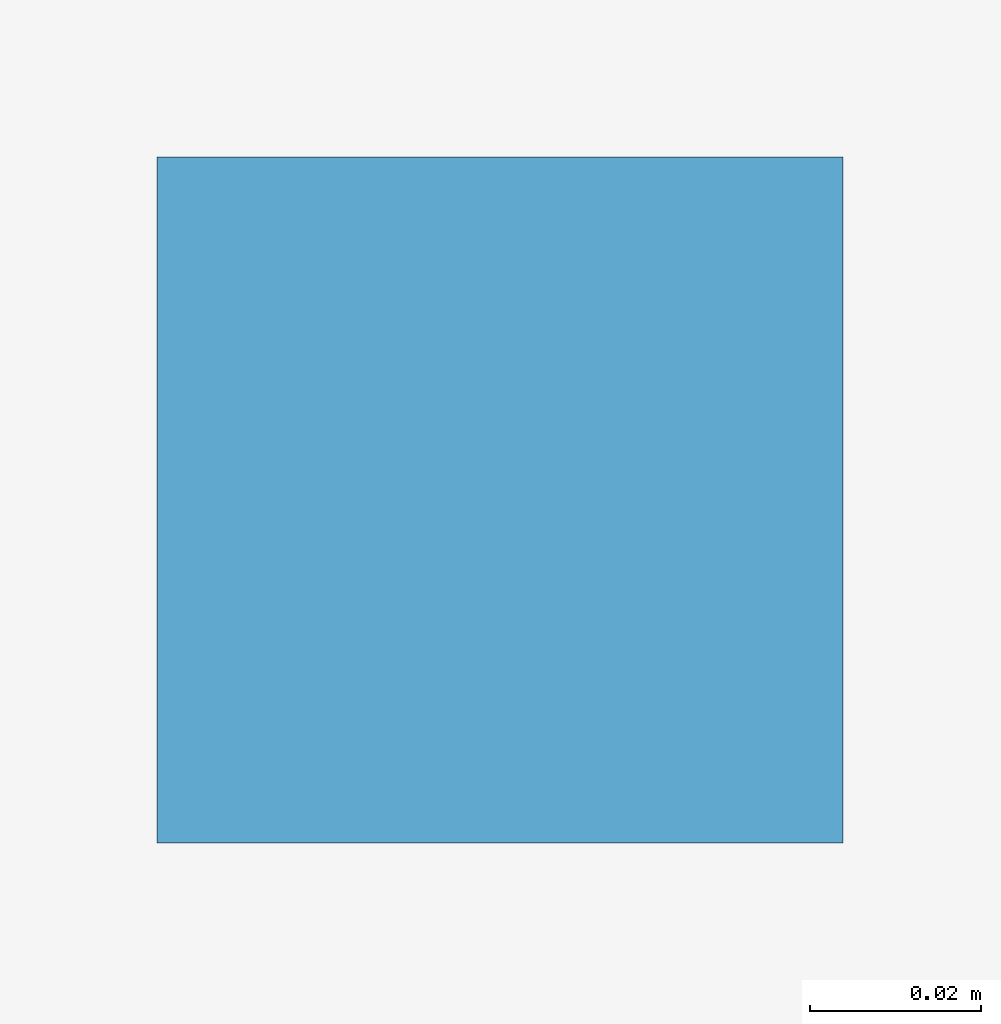
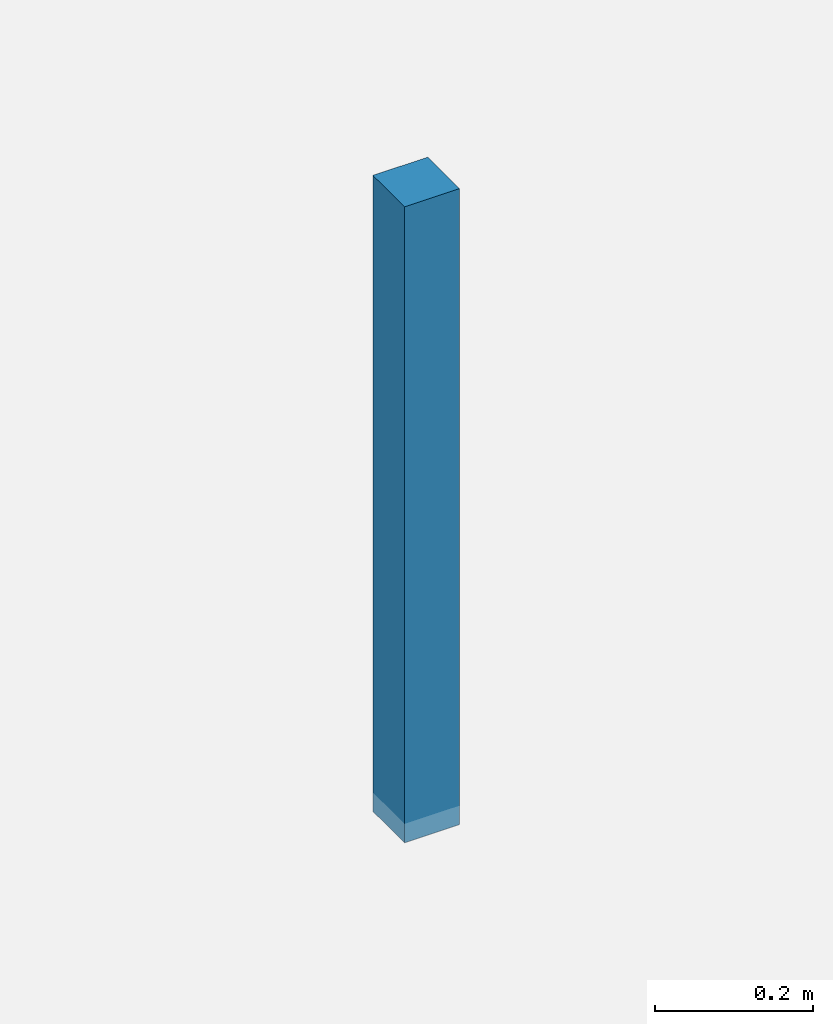
# One storey, part 11 of 15: 1 discrete accessory.
"""IFC4 building model written with IfcOpenShell, lengths in metres."""

from ifc_helpers import new_model, si_unit, direction, frame, origin, origin_2d, place, context, subcontext, project, spatial, rectangle, extrude, source, transform, mapped, material, type_object, element, save


model = new_model("IFC4")

# Units and contexts
model_context = context("Model", 3, precision=1e-05, world=origin(), true_north=direction((0.0, 1.0)))
body_context = subcontext(model_context, "Body", "Model", "MODEL_VIEW")
ifc_project = project(units=[si_unit("LENGTHUNIT", "METRE"), si_unit("AREAUNIT", "SQUARE_METRE"), si_unit("VOLUMEUNIT", "CUBIC_METRE"), si_unit("PLANEANGLEUNIT", "RADIAN"), si_unit("MASSUNIT", "GRAM", prefix="KILO")], contexts=[model_context])

# Site, building, storey
site_placement = place(None, origin())
site = spatial("IfcSite", under=ifc_project, at=site_placement, CompositionType="ELEMENT")
building_placement = place(site_placement, origin())
building = spatial("IfcBuilding", under=site, at=building_placement, Name="Giltprow Tower", CompositionType="ELEMENT")
storey_placement = place(building_placement, frame((0.0, 0.0, 111.39990234375)))
storey = spatial("IfcBuildingStorey", under=building, at=storey_placement, Name="L27", CompositionType="ELEMENT", Elevation=111.39990234375)

# Discrete accessory
ifc_material = material(Name="Structural steel Q355B", Category="steel")
discrete_accessory_type = type_object("IfcDiscreteAccessoryType", Name="ACC-CLG-HANGER", PredefinedType="BRACKET", material=ifc_material)
shared_shape = source(origin(), body_context, "Body", "SweptSolid", [
    extrude(rectangle(XDim=0.080078125, YDim=0.080078125, at=origin_2d()), origin(), (0.0, 0.0, 1.0), 0.97998046875),
])
discrete_accessory_placement = place(storey_placement, frame((25.39990234375, 20.820068359375, 2.72021484375), z_axis=(0.0, 0.0, 1.0), x_axis=(1.0, 0.0, 0.0)))
element("IfcDiscreteAccessory", 1, at=discrete_accessory_placement, inside=storey, type_object=discrete_accessory_type, Name="L27 Office Acoustic Ceiling Suspension Hanger", PredefinedType="BRACKET", context=body_context, shape_type="MappedRepresentation", body=[
    mapped(shared_shape, transform((0.0, 0.0, 0.0), x_axis=(1.0, 0.0, 0.0), y_axis=(0.0, 1.0, 0.0), z_axis=(0.0, 0.0, 1.0), scale=1.0)),
])

save(model, "model.ifc")
